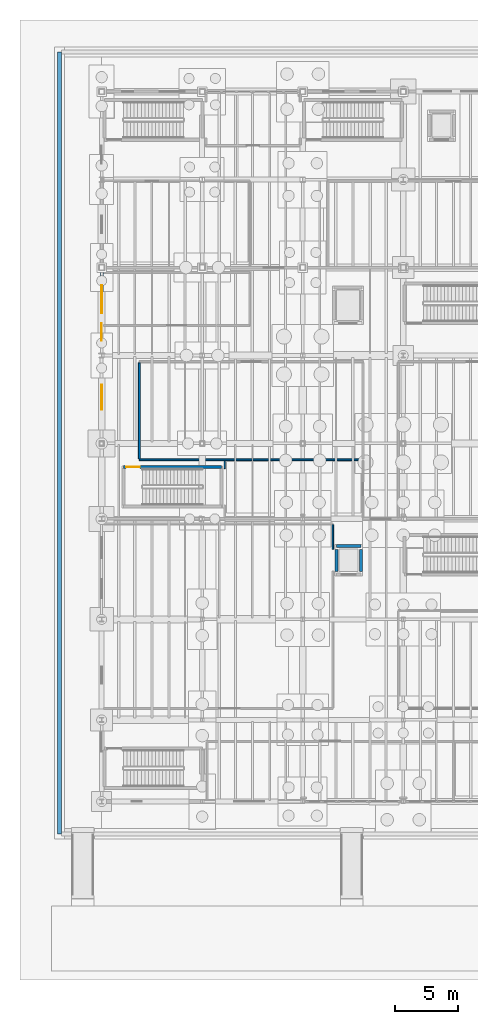
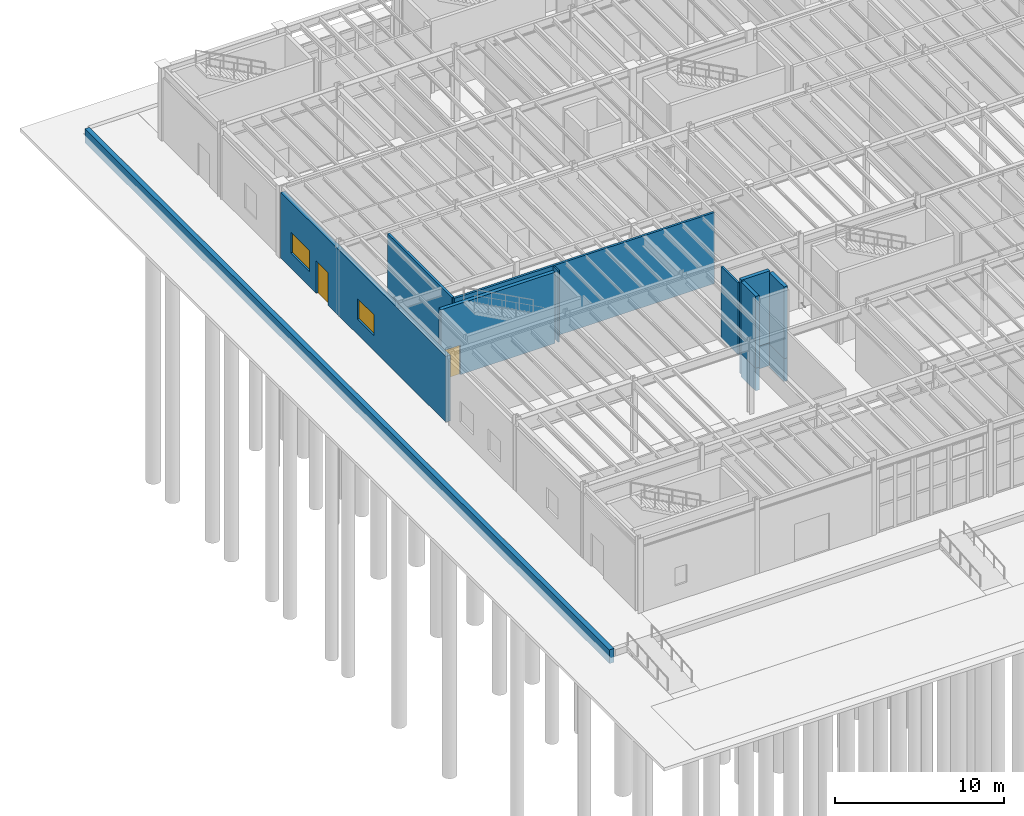
# One storey, part 60 of 86: 13 walls, 2 doors, 2 windows, 4 openings.
"""IFC4 building model written with IfcOpenShell, lengths in metres."""

from ifc_helpers import new_model, si_unit, direction, frame, frame_2d, origin, place, context, subcontext, project, spatial, rectangle, extrude, material, layer, layer_set, type_object, element, fill, save


model = new_model("IFC4")

# Units and contexts
model_context = context("Model", 3, precision=1e-05, world=origin(), true_north=direction((0.0, 1.0)))
body_context = subcontext(model_context, "Body", "Model", "MODEL_VIEW")
ifc_project = project(units=[si_unit("LENGTHUNIT", "METRE"), si_unit("AREAUNIT", "SQUARE_METRE"), si_unit("VOLUMEUNIT", "CUBIC_METRE"), si_unit("PLANEANGLEUNIT", "RADIAN"), si_unit("MASSUNIT", "GRAM", prefix="KILO"), si_unit("THERMODYNAMICTEMPERATUREUNIT", "KELVIN"), si_unit("POWERUNIT", "WATT")], contexts=[model_context])

# Site, building, storey
site_placement = place(None, origin())
site = spatial("IfcSite", under=ifc_project, at=site_placement, CompositionType="ELEMENT")
building_placement = place(site_placement, origin())
building = spatial("IfcBuilding", under=site, at=building_placement, Name="Zhenchuan Central Fire Station", CompositionType="ELEMENT")
storey_placement = place(building_placement, frame((0.0, 0.0, 0.449951171875)))
storey = spatial("IfcBuildingStorey", under=building, at=storey_placement, Name="L01", CompositionType="ELEMENT", Elevation=0.449951171875)

# Wall, openings, door, windows
ifc_material_1 = material(Name="Sintered clay brick masonry MU15", Category="masonry")
ifc_layer_1 = layer(ifc_material_1, 0.300048828125, Name="Sintered clay brick masonry MU15", Category="masonry")
ifc_layer_set_1 = layer_set([ifc_layer_1], Name="Sintered clay brick masonry MU15")
wall_type_1 = type_object("IfcWallType", Name="EW-BRK300", PredefinedType="SOLIDWALL", material=ifc_layer_set_1)
wall_1_placement = place(storey_placement, frame((0.0, 22.675048828125, 0.0), z_axis=(0.0, 0.0, 1.0), x_axis=(0.0, 1.0, 0.0)))
wall_1 = element("IfcWall", 1, at=wall_1_placement, inside=storey, type_object=wall_type_1, Name="EW-L01-V4W", PredefinedType="SOLIDWALL", context=body_context, shape_type="SweptSolid", body=[
    extrude(rectangle(XDim=19.599853515625, YDim=0.300048828125, at=frame_2d((9.7998046875, 0.0))), origin(), (0.0, 0.0, 1.0), 4.76416015625),
])
opening_1_placement = place(wall_1_placement, frame((14.0, 0.0, 0.0)))
opening_1 = element("IfcOpeningElement", 2, at=opening_1_placement, cuts=wall_1, Name="Opening EX-007", PredefinedType="OPENING", context=body_context, shape_type="SweptSolid", body=[
    extrude(rectangle(XDim=1.39990234375, YDim=2.35009765625, at=frame_2d((0.699951171875, 1.175048828125))), frame((0.0, 0.159912109375, 0.0), z_axis=(0.0, -1.0, 0.0), x_axis=(1.0, 0.0, 0.0)), (0.0, 0.0, 1.0), 0.320068359375),
])
opening_2_placement = place(wall_1_placement, frame((8.5, 0.0, 1.10009765625)))
opening_2 = element("IfcOpeningElement", 3, at=opening_2_placement, cuts=wall_1, Name="Opening W-19", PredefinedType="OPENING", context=body_context, shape_type="SweptSolid", body=[
    extrude(rectangle(XDim=2.0, YDim=1.5, at=frame_2d((1.0, 0.75))), frame((0.0, 0.159912109375, 0.0), z_axis=(0.0, -1.0, 0.0), x_axis=(1.0, 0.0, 0.0)), (0.0, 0.0, 1.0), 0.320068359375),
])
opening_3_placement = place(wall_1_placement, frame((16.199951171875, 0.0, 1.10009765625)))
opening_3 = element("IfcOpeningElement", 4, at=opening_3_placement, cuts=wall_1, Name="Opening W-20", PredefinedType="OPENING", context=body_context, shape_type="SweptSolid", body=[
    extrude(rectangle(XDim=2.199951171875, YDim=1.5, at=frame_2d((1.10009765625, 0.75))), frame((0.0, 0.159912109375, 0.0), z_axis=(0.0, -1.0, 0.0), x_axis=(1.0, 0.0, 0.0)), (0.0, 0.0, 1.0), 0.320068359375),
])
ifc_material_2 = material(Name="Powder-coated steel fire exit door", Category="steel")
door_type_1 = type_object("IfcDoorType", Name="ED-140x235", OperationType="NOTDEFINED", PredefinedType="DOOR", material=ifc_material_2)
door_1_placement = place(opening_1_placement, origin())
door_1 = element("IfcDoor", 5, at=door_1_placement, inside=storey, type_object=door_type_1, Name="Workshop West Escape Door", OperationType="SINGLE_SWING_LEFT", OverallHeight=2.35009765625, OverallWidth=1.39990234375, PredefinedType="DOOR", context=body_context, shape_type="SweptSolid", body=[
    extrude(rectangle(XDim=1.39990234375, YDim=2.35009765625, at=frame_2d((0.699951171875, 1.175048828125))), frame((0.0, 0.02490234375, 0.0), z_axis=(0.0, -1.0, 0.0), x_axis=(1.0, 0.0, 0.0)), (0.0, 0.0, 1.0), 0.050048828125),
])
fill(opening_1, door_1)
ifc_material_3 = material(Name="Laminated low-E double glazing in aluminium frame", Category="aluminium")
window_type_1 = type_object("IfcWindowType", Name="WN-19", PartitioningType="SINGLE_PANEL", PredefinedType="WINDOW", material=ifc_material_3)
window_1_placement = place(opening_2_placement, origin())
window_1 = element("IfcWindow", 6, at=window_1_placement, inside=storey, type_object=window_type_1, Name="Exterior Window 0046", OverallHeight=1.5, OverallWidth=2.0, PartitioningType="SINGLE_PANEL", PredefinedType="WINDOW", context=body_context, shape_type="SweptSolid", body=[
    extrude(rectangle(XDim=2.0, YDim=1.5, at=frame_2d((1.0, 0.75))), frame((0.0, 0.030029296875, 0.0), z_axis=(0.0, -1.0, 0.0), x_axis=(1.0, 0.0, 0.0)), (0.0, 0.0, 1.0), 0.06005859375),
])
fill(opening_2, window_1)
window_type_2 = type_object("IfcWindowType", Name="WN-20", PartitioningType="SINGLE_PANEL", PredefinedType="WINDOW", material=ifc_material_3)
window_2_placement = place(opening_3_placement, origin())
window_2 = element("IfcWindow", 7, at=window_2_placement, inside=storey, type_object=window_type_2, Name="Exterior Window 0047", OverallHeight=1.5, OverallWidth=2.199951171875, PartitioningType="SINGLE_PANEL", PredefinedType="WINDOW", context=body_context, shape_type="SweptSolid", body=[
    extrude(rectangle(XDim=2.199951171875, YDim=1.5, at=frame_2d((1.10009765625, 0.75))), frame((0.0, 0.030029296875, 0.0), z_axis=(0.0, -1.0, 0.0), x_axis=(1.0, 0.0, 0.0)), (0.0, 0.0, 1.0), 0.06005859375),
])
fill(opening_3, window_2)

# Walls
ifc_material_4 = material(Name="Concrete C35/45", Category="concrete")
ifc_layer_2 = layer(ifc_material_4, 0.320068359375, Name="Concrete C35/45", Category="concrete")
ifc_layer_set_2 = layer_set([ifc_layer_2], Name="Concrete C35/45")
wall_type_2 = type_object("IfcWallType", Name="EW-PLN320", PredefinedType="SOLIDWALL", material=ifc_layer_set_2)
wall_2_placement = place(storey_placement, frame((-3.362060546875, -2.56201171875, -1.0), z_axis=(0.0, 0.0, 1.0), x_axis=(0.0, 1.0, 0.0)))
element("IfcWall", 8, at=wall_2_placement, inside=storey, type_object=wall_type_2, Name="Plinth Perimeter Retaining Stem Wall WEST", PredefinedType="SOLIDWALL", context=body_context, shape_type="SweptSolid", body=[
    extrude(rectangle(XDim=62.22412109375, YDim=0.320068359375, at=frame_2d((31.112060546875, 0.0))), origin(), (0.0, 0.0, 1.0), 1.0),
])
ifc_material_5 = material(Name="Autoclaved aerated concrete blockwork", Category="masonry")
ifc_layer_3 = layer(ifc_material_5, 0.14990234375, Name="Autoclaved aerated concrete blockwork", Category="masonry")
ifc_layer_set_3 = layer_set([ifc_layer_3], Name="Autoclaved aerated concrete blockwork")
wall_type_3 = type_object("IfcWallType", Name="IW-BLK150", PredefinedType="PARTITIONING", material=ifc_layer_set_3)
wall_3_placement = place(storey_placement, frame((3.0, 27.199951171875, 0.0), z_axis=(0.0, 0.0, 1.0), x_axis=(1.0, 0.0, 0.0)))
element("IfcWall", 9, at=wall_3_placement, inside=storey, type_object=wall_type_3, Name="Hose Washing and Testing Workshop S Partition", PredefinedType="PARTITIONING", context=body_context, shape_type="SweptSolid", body=[
    extrude(rectangle(XDim=17.800048828125, YDim=0.14990234375, at=frame_2d((8.89990234375, 0.0))), origin(), (0.0, 0.0, 1.0), 5.16015625),
])
wall_4_placement = place(storey_placement, frame((3.0, 27.278076171875, 0.0), z_axis=(0.0, 0.0, 1.0), x_axis=(0.0, 1.0, 0.0)))
element("IfcWall", 10, at=wall_4_placement, inside=storey, type_object=wall_type_3, Name="Hose Washing and Testing Workshop W Partition", PredefinedType="PARTITIONING", context=body_context, shape_type="SweptSolid", body=[
    extrude(rectangle(XDim=7.64404296875, YDim=0.14990234375, at=frame_2d((3.822021484375, 0.0))), origin(), (0.0, 0.0, 1.0), 5.16015625),
])
ifc_material_6 = material(Name="Gypsum plasterboard on steel studs", Category="gypsum")
ifc_layer_4 = layer(ifc_material_6, 0.10009765625, Name="Gypsum plasterboard on steel studs", Category="gypsum")
ifc_layer_set_4 = layer_set([ifc_layer_4], Name="Gypsum plasterboard on steel studs")
wall_type_4 = type_object("IfcWallType", Name="IW-GYP100", PredefinedType="PARTITIONING", material=ifc_layer_set_4)
wall_5_placement = place(storey_placement, frame((9.800048828125, 26.5029296875, 0.0), z_axis=(0.0, 0.0, 1.0), x_axis=(0.0, 1.0, 0.0)))
element("IfcWall", 11, at=wall_5_placement, inside=storey, type_object=wall_type_4, Name="Fleet Tool and Lubricant Store W Partition 2", PredefinedType="PARTITIONING", context=body_context, shape_type="SweptSolid", body=[
    extrude(rectangle(XDim=0.619140625, YDim=0.10009765625, at=frame_2d((0.3095703125, 0.0))), origin(), (0.0, 0.0, 1.0), 5.16015625),
])
ifc_layer_5 = layer(ifc_material_6, 0.1201171875, Name="Gypsum plasterboard on steel studs", Category="gypsum")
ifc_layer_set_5 = layer_set([ifc_layer_5], Name="Gypsum plasterboard on steel studs")
wall_type_5 = type_object("IfcWallType", Name="IW-GYP120", PredefinedType="PARTITIONING", material=ifc_layer_set_5)
wall_6_placement = place(storey_placement, frame((18.39990234375, 20.077880859375, 0.0), z_axis=(0.0, 0.0, 1.0), x_axis=(0.0, 1.0, 0.0)))
element("IfcWall", 12, at=wall_6_placement, inside=storey, type_object=wall_type_5, Name="Raked Lecture Theatre E Partition 2", PredefinedType="PARTITIONING", context=body_context, shape_type="SweptSolid", body=[
    extrude(rectangle(XDim=1.959228515625, YDim=0.1201171875, at=frame_2d((0.9794921875, 0.0))), origin(), (0.0, 0.0, 1.0), 5.199951171875),
])

# Wall, opening, door
ifc_material_7 = material(Name="Concrete C40/50", Category="concrete")
ifc_layer_6 = layer(ifc_material_7, 0.25, Name="Concrete C40/50", Category="concrete")
ifc_layer_set_6 = layer_set([ifc_layer_6], Name="Concrete C40/50")
wall_type_6 = type_object("IfcWallType", Name="IW-SHR250", PredefinedType="SHEAR", material=ifc_layer_set_6)
wall_7_placement = place(storey_placement, frame((1.72509765625, 26.625, 0.0), z_axis=(0.0, 0.0, 1.0), x_axis=(1.0, 0.0, 0.0)))
wall_7 = element("IfcWall", 13, at=wall_7_placement, inside=storey, type_object=wall_type_6, Name="ST-03 L01 North Core Wall", PredefinedType="SHEAR", context=body_context, shape_type="SweptSolid", body=[
    extrude(rectangle(XDim=7.809814453125, YDim=0.25, at=frame_2d((3.90478515625, 0.0))), origin(), (0.0, 0.0, 1.0), 5.16015625),
])
opening_4_placement = place(wall_7_placement, frame((0.219970703125, 0.0, 0.0)))
opening_4 = element("IfcOpeningElement", 14, at=opening_4_placement, cuts=wall_7, Name="Opening D-005", PredefinedType="OPENING", context=body_context, shape_type="SweptSolid", body=[
    extrude(rectangle(XDim=1.10009765625, YDim=2.14990234375, at=frame_2d((0.550048828125, 1.074951171875))), frame((0.0, 0.135009765625, 0.0), z_axis=(0.0, -1.0, 0.0), x_axis=(1.0, 0.0, 0.0)), (0.0, 0.0, 1.0), 0.27001953125),
])
ifc_material_8 = material(Name="Painted steel acoustic fire door", Category="steel")
door_type_2 = type_object("IfcDoorType", Name="ID-ST-110x215", OperationType="NOTDEFINED", PredefinedType="DOOR", material=ifc_material_8)
door_2_placement = place(opening_4_placement, origin())
door_2 = element("IfcDoor", 15, at=door_2_placement, inside=storey, type_object=door_type_2, Name="ST-03 L01 Fire Door", OperationType="SINGLE_SWING_LEFT", OverallHeight=2.14990234375, OverallWidth=1.10009765625, PredefinedType="DOOR", context=body_context, shape_type="SweptSolid", body=[
    extrude(rectangle(XDim=1.10009765625, YDim=2.14990234375, at=frame_2d((0.550048828125, 1.074951171875))), frame((0.0, 0.02490234375, 0.0), z_axis=(0.0, -1.0, 0.0), x_axis=(1.0, 0.0, 0.0)), (0.0, 0.0, 1.0), 0.050048828125),
])
fill(opening_4, door_2)

# Walls
wall_8_placement = place(storey_placement, frame((18.675048828125, 20.324951171875, -1.64990234375), z_axis=(0.0, 0.0, 1.0), x_axis=(1.0, 0.0, 0.0)))
element("IfcWall", 16, at=wall_8_placement, inside=storey, type_object=wall_type_6, Name="Lift LP-04 Pit North Wall", PredefinedType="SHEAR", context=body_context, shape_type="SweptSolid", body=[
    extrude(rectangle(XDim=1.949951171875, YDim=0.25, at=frame_2d((0.97509765625, 0.0))), origin(), (0.0, 0.0, 1.0), 1.64990234375),
])
for number, where, z_axis, x_axis, name in (
    (17, (18.675048828125, 18.324951171875, -1.64990234375), (0.0, 0.0, 1.0), (0.0, 1.0, 0.0), "Lift LP-04 Pit West Wall"),
    (18, (20.625, 18.324951171875, -1.64990234375), (0.0, 0.0, 1.0), (0.0, 1.0, 0.0), "Lift LP-04 Pit East Wall"),
):
    element("IfcWall", number, at=place(storey_placement, frame(where, z_axis=z_axis, x_axis=x_axis)), inside=storey, type_object=wall_type_6, Name=name, PredefinedType="SHEAR", context=body_context, shape_type="SweptSolid", body=[
        extrude(rectangle(XDim=1.75, YDim=0.25, at=frame_2d((0.875, 0.0))), origin(), (0.0, 0.0, 1.0), 1.64990234375),
    ])
wall_9_placement = place(storey_placement, frame((18.675048828125, 20.324951171875, 0.0), z_axis=(0.0, 0.0, 1.0), x_axis=(1.0, 0.0, 0.0)))
element("IfcWall", 19, at=wall_9_placement, inside=storey, type_object=wall_type_6, Name="Lift LP-04 L01 North Shaft Wall", PredefinedType="SHEAR", context=body_context, shape_type="SweptSolid", body=[
    extrude(rectangle(XDim=1.949951171875, YDim=0.25, at=frame_2d((0.97509765625, 0.0))), origin(), (0.0, 0.0, 1.0), 5.199951171875),
])
for number, where, z_axis, x_axis, name in (
    (20, (18.675048828125, 18.324951171875, 0.0), (0.0, 0.0, 1.0), (0.0, 1.0, 0.0), "Lift LP-04 L01 West Shaft Wall"),
    (21, (20.625, 18.324951171875, 0.0), (0.0, 0.0, 1.0), (0.0, 1.0, 0.0), "Lift LP-04 L01 East Shaft Wall"),
):
    element("IfcWall", number, at=place(storey_placement, frame(where, z_axis=z_axis, x_axis=x_axis)), inside=storey, type_object=wall_type_6, Name=name, PredefinedType="SHEAR", context=body_context, shape_type="SweptSolid", body=[
        extrude(rectangle(XDim=1.75, YDim=0.25, at=frame_2d((0.875, 0.0))), origin(), (0.0, 0.0, 1.0), 5.199951171875),
    ])

save(model, "model.ifc")
